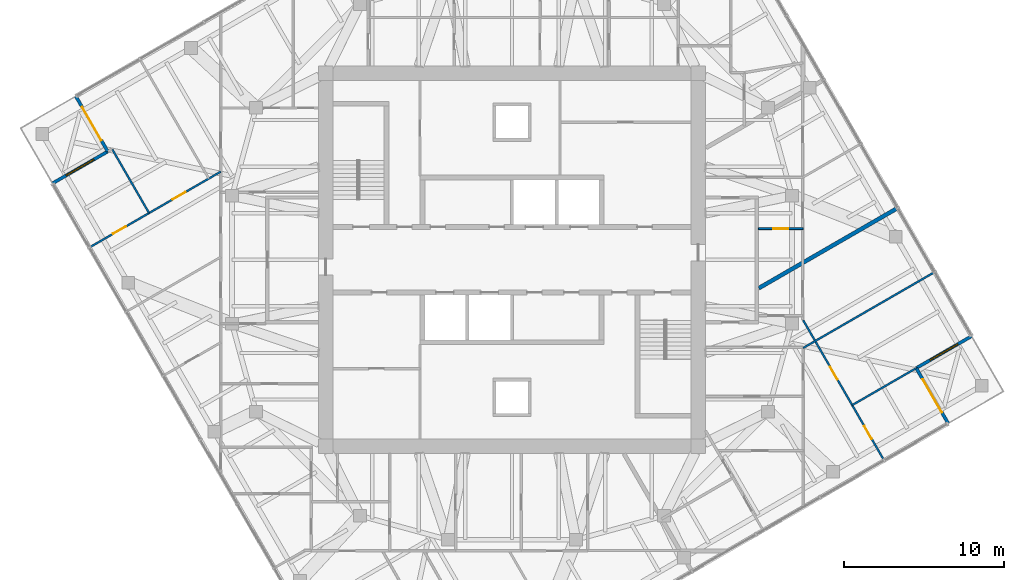
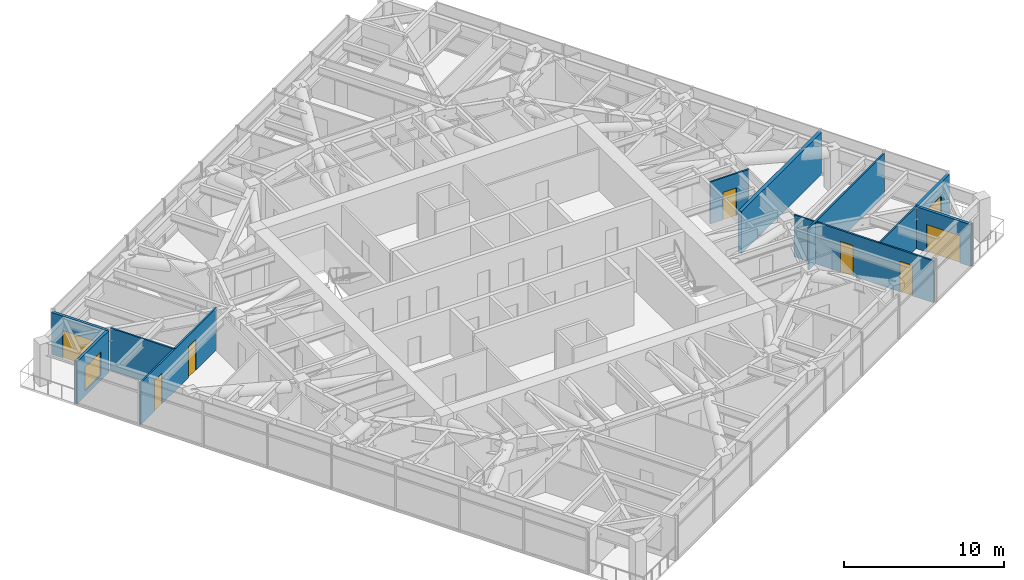
# One storey, part 12 of 16: 11 walls, 7 doors, 2 windows, 9 openings.
"""IFC4 building model written with IfcOpenShell, lengths in metres."""

from ifc_helpers import new_model, si_unit, direction, frame, frame_2d, origin, place, context, subcontext, project, spatial, rectangle, extrude, material, layer, layer_set, type_object, element, fill, save


model = new_model("IFC4")

# Units and contexts
model_context = context("Model", 3, precision=1e-05, world=origin(), true_north=direction((0.0, 1.0)))
body_context = subcontext(model_context, "Body", "Model", "MODEL_VIEW")
ifc_project = project(units=[si_unit("LENGTHUNIT", "METRE"), si_unit("AREAUNIT", "SQUARE_METRE"), si_unit("VOLUMEUNIT", "CUBIC_METRE"), si_unit("PLANEANGLEUNIT", "RADIAN"), si_unit("MASSUNIT", "GRAM", prefix="KILO")], contexts=[model_context])

# Site, building, storey
site_placement = place(None, origin())
site = spatial("IfcSite", under=ifc_project, at=site_placement, CompositionType="ELEMENT")
building_placement = place(site_placement, origin())
building = spatial("IfcBuilding", under=site, at=building_placement, Name="Torsade Residences", CompositionType="ELEMENT")
storey_placement = place(building_placement, frame((0.0, 0.0, 232.0)))
storey = spatial("IfcBuildingStorey", under=building, at=storey_placement, Name="L64", CompositionType="ELEMENT", Elevation=232.0)

# Wall, openings, doors
ifc_material_1 = material(Name="Plasterboard on steel stud", Category="steel")
ifc_layer_1 = layer(ifc_material_1, 0.1201171875)
ifc_layer_set_1 = layer_set([ifc_layer_1], Name="Plasterboard on steel stud")
wall_type_1 = type_object("IfcWallType", Name="PARTITION 120", PredefinedType="PARTITIONING", material=ifc_layer_set_1)
wall_1_placement = place(storey_placement, frame((58.200439453125, 26.22607421875, 0.0), z_axis=(0.0, 0.0, 1.0), x_axis=(0.499992604493, -0.86602967354, 0.0)))
wall_1 = element("IfcWall", 1, at=wall_1_placement, inside=storey, type_object=wall_type_1, Name="Partition L64", PredefinedType="PARTITIONING", context=body_context, shape_type="SweptSolid", body=[
    extrude(rectangle(XDim=10.091552734375, YDim=0.1201171875, at=frame_2d((5.0458984375, 0.0))), origin(), (0.0, 0.0, 1.0), 3.199951171875),
])
opening_1_placement = place(wall_1_placement, frame((3.35888671875, 0.0, 0.0)))
opening_1 = element("IfcOpeningElement", 2, at=opening_1_placement, cuts=wall_1, Name="Opening D02", PredefinedType="OPENING", context=body_context, shape_type="SweptSolid", body=[
    extrude(rectangle(XDim=0.919921875, YDim=2.340087890625, at=frame_2d((0.4599609375, 1.169921875))), frame((0.0, 0.070068359375, 0.0), z_axis=(0.0, -1.0, 0.0), x_axis=(1.0, 0.0, 0.0)), (0.0, 0.0, 1.0), 0.14013671875),
])
opening_2_placement = place(wall_1_placement, frame((7.646484375, 0.0, 0.0)))
opening_2 = element("IfcOpeningElement", 3, at=opening_2_placement, cuts=wall_1, Name="Opening D02", PredefinedType="OPENING", context=body_context, shape_type="SweptSolid", body=[
    extrude(rectangle(XDim=0.919921875, YDim=2.340087890625, at=frame_2d((0.4599609375, 1.169921875))), frame((0.0, 0.070068359375, 0.0), z_axis=(0.0, -1.0, 0.0), x_axis=(1.0, 0.0, 0.0)), (0.0, 0.0, 1.0), 0.14013671875),
])
ifc_material_2 = material(Name="Hollow-core timber door", Category="wood")
door_type_1 = type_object("IfcDoorType", Name="INTERNAL DOOR 920x2340", OperationType="NOTDEFINED", PredefinedType="DOOR", material=ifc_material_2)
door_1_placement = place(opening_1_placement, origin())
door_1 = element("IfcDoor", 4, at=door_1_placement, inside=storey, type_object=door_type_1, Name="Door Bedroom 2 to Living room", OperationType="SINGLE_SWING_LEFT", OverallHeight=2.340087890625, OverallWidth=0.919921875, PredefinedType="DOOR", context=body_context, shape_type="SweptSolid", body=[
    extrude(rectangle(XDim=0.919921875, YDim=2.340087890625, at=frame_2d((0.4599609375, 1.169921875))), frame((0.0, 0.02490234375, 0.0), z_axis=(0.0, -1.0, 0.0), x_axis=(1.0, 0.0, 0.0)), (0.0, 0.0, 1.0), 0.050048828125),
])
fill(opening_1, door_1)
door_2_placement = place(opening_2_placement, origin())
door_2 = element("IfcDoor", 5, at=door_2_placement, inside=storey, type_object=door_type_1, Name="Door Bedroom 2 to Bedroom 3", OperationType="SINGLE_SWING_LEFT", OverallHeight=2.340087890625, OverallWidth=0.919921875, PredefinedType="DOOR", context=body_context, shape_type="SweptSolid", body=[
    extrude(rectangle(XDim=0.919921875, YDim=2.340087890625, at=frame_2d((0.4599609375, 1.169921875))), frame((0.0, 0.02490234375, 0.0), z_axis=(0.0, -1.0, 0.0), x_axis=(1.0, 0.0, 0.0)), (0.0, 0.0, 1.0), 0.050048828125),
])
fill(opening_2, door_2)

# Walls
wall_2_placement = place(storey_placement, frame((66.388427734375, 29.2138671875, 0.0), z_axis=(0.0, 0.0, 1.0), x_axis=(-0.86602907136, -0.49999364752, 0.0)))
element("IfcWall", 6, at=wall_2_placement, inside=storey, type_object=wall_type_1, Name="Partition L64", PredefinedType="PARTITIONING", context=body_context, shape_type="SweptSolid", body=[
    extrude(rectangle(XDim=9.455078125, YDim=0.1201171875, at=frame_2d((4.7275390625, 0.0))), origin(), (0.0, 0.0, 1.0), 3.199951171875),
])
wall_3_placement = place(storey_placement, frame((65.23681640625, 23.20849609375, 0.0), z_axis=(0.0, 0.0, 1.0), x_axis=(-0.866025975094, -0.499999010461, 0.0)))
element("IfcWall", 7, at=wall_3_placement, inside=storey, type_object=wall_type_1, Name="Partition L64", PredefinedType="PARTITIONING", context=body_context, shape_type="SweptSolid", body=[
    extrude(rectangle(XDim=4.5849609375, YDim=0.1201171875, at=frame_2d((2.29248046875, 0.0))), origin(), (0.0, 0.0, 1.0), 3.199951171875),
])

# Wall, opening, door
wall_4_placement = place(storey_placement, frame((58.199951171875, 31.945068359375, 0.0), z_axis=(0.0, 0.0, 1.0), x_axis=(-1.0, 0.0, 0.0)))
wall_4 = element("IfcWall", 8, at=wall_4_placement, inside=storey, type_object=wall_type_1, Name="Partition L64", PredefinedType="PARTITIONING", context=body_context, shape_type="SweptSolid", body=[
    extrude(rectangle(XDim=2.800048828125, YDim=0.1201171875, at=frame_2d((1.39990234375, 0.0))), origin(), (0.0, 0.0, 1.0), 3.199951171875),
])
opening_3_placement = place(wall_4_placement, frame((0.919921875, 0.0, 0.0)))
opening_3 = element("IfcOpeningElement", 9, at=opening_3_placement, cuts=wall_4, Name="Opening D05", PredefinedType="OPENING", context=body_context, shape_type="SweptSolid", body=[
    extrude(rectangle(XDim=0.9599609375, YDim=2.10009765625, at=frame_2d((0.47998046875, 1.050048828125))), frame((0.0, 0.070068359375, 0.0), z_axis=(0.0, -1.0, 0.0), x_axis=(1.0, 0.0, 0.0)), (0.0, 0.0, 1.0), 0.14013671875),
])
ifc_material_3 = material(Name="Hollow-core timber door in a steel cavity frame", Category="steel")
door_type_2 = type_object("IfcDoorType", Name="BATHROOM CAVITY SLIDING DOOR 960", OperationType="SLIDING_TO_LEFT", PredefinedType="DOOR", material=ifc_material_3)
door_3_placement = place(opening_3_placement, origin())
door_3 = element("IfcDoor", 10, at=door_3_placement, inside=storey, type_object=door_type_2, Name="Door Kitchen and dining to Bathroom", OperationType="SLIDING_TO_LEFT", OverallHeight=2.10009765625, OverallWidth=0.9599609375, PredefinedType="DOOR", context=body_context, shape_type="SweptSolid", body=[
    extrude(rectangle(XDim=0.9599609375, YDim=2.10009765625, at=frame_2d((0.47998046875, 1.050048828125))), frame((0.0, 0.02490234375, 0.0), z_axis=(0.0, -1.0, 0.0), x_axis=(1.0, 0.0, 0.0)), (0.0, 0.0, 1.0), 0.050048828125),
])
fill(opening_3, door_3)

# Wall, openings, doors
wall_5_placement = place(storey_placement, frame((21.800048828125, 35.513671875, 0.0), z_axis=(0.0, 0.0, 1.0), x_axis=(-0.86602907136, -0.49999364752, 0.0)))
wall_5 = element("IfcWall", 11, at=wall_5_placement, inside=storey, type_object=wall_type_1, Name="Partition L64", PredefinedType="PARTITIONING", context=body_context, shape_type="SweptSolid", body=[
    extrude(rectangle(XDim=9.455078125, YDim=0.1201171875, at=frame_2d((4.7275390625, 0.0))), origin(), (0.0, 0.0, 1.0), 3.199951171875),
])
opening_4_placement = place(wall_5_placement, frame((6.853759765625, 0.0, 0.0)))
opening_4 = element("IfcOpeningElement", 12, at=opening_4_placement, cuts=wall_5, Name="Opening D02", PredefinedType="OPENING", context=body_context, shape_type="SweptSolid", body=[
    extrude(rectangle(XDim=0.919921875, YDim=2.340087890625, at=frame_2d((0.4599609375, 1.169921875))), frame((0.0, 0.070068359375, 0.0), z_axis=(0.0, -1.0, 0.0), x_axis=(1.0, 0.0, 0.0)), (0.0, 0.0, 1.0), 0.14013671875),
])
opening_5_placement = place(wall_5_placement, frame((2.56640625, 0.0, 0.0)))
opening_5 = element("IfcOpeningElement", 13, at=opening_5_placement, cuts=wall_5, Name="Opening D02", PredefinedType="OPENING", context=body_context, shape_type="SweptSolid", body=[
    extrude(rectangle(XDim=0.919921875, YDim=2.340087890625, at=frame_2d((0.4599609375, 1.169921875))), frame((0.0, 0.070068359375, 0.0), z_axis=(0.0, -1.0, 0.0), x_axis=(1.0, 0.0, 0.0)), (0.0, 0.0, 1.0), 0.14013671875),
])
door_4_placement = place(opening_4_placement, origin())
door_4 = element("IfcDoor", 14, at=door_4_placement, inside=storey, type_object=door_type_1, Name="Door Family room to Dining room 2", OperationType="SINGLE_SWING_RIGHT", OverallHeight=2.340087890625, OverallWidth=0.919921875, PredefinedType="DOOR", context=body_context, shape_type="SweptSolid", body=[
    extrude(rectangle(XDim=0.919921875, YDim=2.340087890625, at=frame_2d((0.4599609375, 1.169921875))), frame((0.0, 0.02490234375, 0.0), z_axis=(0.0, -1.0, 0.0), x_axis=(1.0, 0.0, 0.0)), (0.0, 0.0, 1.0), 0.050048828125),
])
fill(opening_4, door_4)
door_5_placement = place(opening_5_placement, origin())
door_5 = element("IfcDoor", 15, at=door_5_placement, inside=storey, type_object=door_type_1, Name="Door Family room to Bedroom 2", OperationType="SINGLE_SWING_LEFT", OverallHeight=2.340087890625, OverallWidth=0.919921875, PredefinedType="DOOR", context=body_context, shape_type="SweptSolid", body=[
    extrude(rectangle(XDim=0.919921875, YDim=2.340087890625, at=frame_2d((0.4599609375, 1.169921875))), frame((0.0, 0.02490234375, 0.0), z_axis=(0.0, -1.0, 0.0), x_axis=(1.0, 0.0, 0.0)), (0.0, 0.0, 1.0), 0.050048828125),
])
fill(opening_5, door_5)

# Walls
wall_6_placement = place(storey_placement, frame((17.311767578125, 32.922119140625, 0.0), z_axis=(0.0, 0.0, 1.0), x_axis=(-0.499984590049, 0.866034300541, 0.0)))
element("IfcWall", 16, at=wall_6_placement, inside=storey, type_object=wall_type_1, Name="Partition L64", PredefinedType="PARTITIONING", context=body_context, shape_type="SweptSolid", body=[
    extrude(rectangle(XDim=4.595458984375, YDim=0.1201171875, at=frame_2d((2.2978515625, 0.0))), origin(), (0.0, 0.0, 1.0), 3.199951171875),
])
ifc_material_4 = material(Name="Masonry-lined stud party wall", Category="masonry")
ifc_layer_2 = layer(ifc_material_4, 0.25)
ifc_layer_set_2 = layer_set([ifc_layer_2], Name="Masonry-lined stud party wall")
wall_type_2 = type_object("IfcWallType", Name="PARTY WALL 250", PredefinedType="PARTITIONING", material=ifc_layer_set_2)
wall_7_placement = place(storey_placement, frame((64.110595703125, 33.2392578125, 0.0), z_axis=(0.0, 0.0, 1.0), x_axis=(-0.866024190901, -0.50000210077, 0.0)))
element("IfcWall", 17, at=wall_7_placement, inside=storey, type_object=wall_type_2, Name="Party wall L64", PredefinedType="PARTITIONING", context=body_context, shape_type="SweptSolid", body=[
    extrude(rectangle(XDim=10.02587890625, YDim=0.25, at=frame_2d((5.012939453125, 0.0))), origin(), (0.0, 0.0, 1.0), 3.199951171875),
])

# Wall, opening, door
ifc_material_5 = material(Name="Stone-faced precast concrete 40 MPa panel", Category="masonry")
ifc_layer_3 = layer(ifc_material_5, 0.199951171875)
ifc_layer_set_3 = layer_set([ifc_layer_3], Name="Stone-faced precast concrete 40 MPa panel")
wall_type_3 = type_object("IfcWallType", Name="TERRACE WALL 200", PredefinedType="SOLIDWALL", material=ifc_layer_set_3)
wall_8_placement = place(storey_placement, frame((67.271484375, 19.764404296875, 0.0), z_axis=(0.0, 0.0, 1.0), x_axis=(-0.49999894854, 0.866026010844, 0.0)))
wall_8 = element("IfcWall", 18, at=wall_8_placement, inside=storey, type_object=wall_type_3, Name="Terrace wall L64 2", PredefinedType="SOLIDWALL", context=body_context, shape_type="SweptSolid", body=[
    extrude(rectangle(XDim=4.0, YDim=0.199951171875, at=frame_2d((2.0, 0.0))), origin(), (0.0, 0.0, 1.0), 3.199951171875),
])
opening_6_placement = place(wall_8_placement, frame((0.800048828125, 0.0, 0.0)))
opening_6 = element("IfcOpeningElement", 19, at=opening_6_placement, cuts=wall_8, Name="Opening D10A", PredefinedType="OPENING", context=body_context, shape_type="SweptSolid", body=[
    extrude(rectangle(XDim=2.39990234375, YDim=2.10009765625, at=frame_2d((1.199951171875, 1.050048828125))), frame((0.0, 0.10986328125, 0.0), z_axis=(0.0, -1.0, 0.0), x_axis=(1.0, 0.0, 0.0)), (0.0, 0.0, 1.0), 0.219970703125),
])
ifc_material_6 = material(Name="Aluminium-framed glass door", Category="aluminium")
door_type_3 = type_object("IfcDoorType", Name="TERRACE SLIDING DOOR 2400x2100", OperationType="SLIDING_TO_LEFT", PredefinedType="DOOR", material=ifc_material_6)
door_6_placement = place(opening_6_placement, origin())
door_6 = element("IfcDoor", 20, at=door_6_placement, inside=storey, type_object=door_type_3, Name="Terrace door L64 2", OperationType="SLIDING_TO_LEFT", OverallHeight=2.10009765625, OverallWidth=2.39990234375, PredefinedType="DOOR", context=body_context, shape_type="SweptSolid", body=[
    extrude(rectangle(XDim=2.39990234375, YDim=2.10009765625, at=frame_2d((1.199951171875, 1.050048828125))), frame((0.0, 0.02490234375, 0.0), z_axis=(0.0, -1.0, 0.0), x_axis=(1.0, 0.0, 0.0)), (0.0, 0.0, 1.0), 0.050048828125),
])
fill(opening_6, door_6)

# Wall, opening, window
wall_9_placement = place(storey_placement, frame((65.271484375, 23.228515625, 0.0), z_axis=(0.0, 0.0, 1.0), x_axis=(0.866026010844, 0.49999894854, 0.0)))
wall_9 = element("IfcWall", 21, at=wall_9_placement, inside=storey, type_object=wall_type_3, Name="Terrace wall L64 3", PredefinedType="SOLIDWALL", context=body_context, shape_type="SweptSolid", body=[
    extrude(rectangle(XDim=4.0, YDim=0.199951171875, at=frame_2d((2.0, 0.0))), origin(), (0.0, 0.0, 1.0), 3.199951171875),
])
opening_7_placement = place(wall_9_placement, frame((1.0, 0.0, 0.39990234375)))
opening_7 = element("IfcOpeningElement", 22, at=opening_7_placement, cuts=wall_9, Name="Opening W1B", PredefinedType="OPENING", context=body_context, shape_type="SweptSolid", body=[
    extrude(rectangle(XDim=2.0, YDim=1.800048828125, at=frame_2d((1.0, 0.89990234375))), frame((0.0, 0.10986328125, 0.0), z_axis=(0.0, -1.0, 0.0), x_axis=(1.0, 0.0, 0.0)), (0.0, 0.0, 1.0), 0.219970703125),
])
ifc_material_7 = material(Name="Aluminium-framed glass window", Category="aluminium")
window_type = type_object("IfcWindowType", Name="TERRACE WINDOW 2000x1800", PartitioningType="SINGLE_PANEL", PredefinedType="WINDOW", material=ifc_material_7)
window_1_placement = place(opening_7_placement, origin())
window_1 = element("IfcWindow", 23, at=window_1_placement, inside=storey, type_object=window_type, Name="Terrace window L64 3", OverallHeight=1.800048828125, OverallWidth=2.0, PartitioningType="SINGLE_PANEL", PredefinedType="WINDOW", context=body_context, shape_type="SweptSolid", body=[
    extrude(rectangle(XDim=2.0, YDim=1.800048828125, at=frame_2d((1.0, 0.89990234375))), frame((0.0, 0.030029296875, 0.0), z_axis=(0.0, -1.0, 0.0), x_axis=(1.0, 0.0, 0.0)), (0.0, 0.0, 1.0), 0.06005859375),
])
fill(opening_7, window_1)

# Wall, opening, door
wall_10_placement = place(storey_placement, frame((12.728515625, 40.235595703125, 0.0), z_axis=(0.0, 0.0, 1.0), x_axis=(0.49999894854, -0.866026010844, 0.0)))
wall_10 = element("IfcWall", 24, at=wall_10_placement, inside=storey, type_object=wall_type_3, Name="Terrace wall L64 8", PredefinedType="SOLIDWALL", context=body_context, shape_type="SweptSolid", body=[
    extrude(rectangle(XDim=4.0, YDim=0.199951171875, at=frame_2d((2.0, 0.0))), origin(), (0.0, 0.0, 1.0), 3.199951171875),
])
opening_8_placement = place(wall_10_placement, frame((0.800048828125, 0.0, 0.0)))
opening_8 = element("IfcOpeningElement", 25, at=opening_8_placement, cuts=wall_10, Name="Opening D10A", PredefinedType="OPENING", context=body_context, shape_type="SweptSolid", body=[
    extrude(rectangle(XDim=2.39990234375, YDim=2.10009765625, at=frame_2d((1.199951171875, 1.050048828125))), frame((0.0, 0.10986328125, 0.0), z_axis=(0.0, -1.0, 0.0), x_axis=(1.0, 0.0, 0.0)), (0.0, 0.0, 1.0), 0.219970703125),
])
door_7_placement = place(opening_8_placement, origin())
door_7 = element("IfcDoor", 26, at=door_7_placement, inside=storey, type_object=door_type_3, Name="Terrace door L64 8", OperationType="SLIDING_TO_LEFT", OverallHeight=2.10009765625, OverallWidth=2.39990234375, PredefinedType="DOOR", context=body_context, shape_type="SweptSolid", body=[
    extrude(rectangle(XDim=2.39990234375, YDim=2.10009765625, at=frame_2d((1.199951171875, 1.050048828125))), frame((0.0, 0.02490234375, 0.0), z_axis=(0.0, -1.0, 0.0), x_axis=(1.0, 0.0, 0.0)), (0.0, 0.0, 1.0), 0.050048828125),
])
fill(opening_8, door_7)

# Wall, opening, window
wall_11_placement = place(storey_placement, frame((14.728515625, 36.771484375, 0.0), z_axis=(0.0, 0.0, 1.0), x_axis=(-0.866026010844, -0.49999894854, 0.0)))
wall_11 = element("IfcWall", 27, at=wall_11_placement, inside=storey, type_object=wall_type_3, Name="Terrace wall L64 9", PredefinedType="SOLIDWALL", context=body_context, shape_type="SweptSolid", body=[
    extrude(rectangle(XDim=4.0, YDim=0.199951171875, at=frame_2d((2.0, 0.0))), origin(), (0.0, 0.0, 1.0), 3.199951171875),
])
opening_9_placement = place(wall_11_placement, frame((1.0, 0.0, 0.39990234375)))
opening_9 = element("IfcOpeningElement", 28, at=opening_9_placement, cuts=wall_11, Name="Opening W1B", PredefinedType="OPENING", context=body_context, shape_type="SweptSolid", body=[
    extrude(rectangle(XDim=2.0, YDim=1.800048828125, at=frame_2d((1.0, 0.89990234375))), frame((0.0, 0.10986328125, 0.0), z_axis=(0.0, -1.0, 0.0), x_axis=(1.0, 0.0, 0.0)), (0.0, 0.0, 1.0), 0.219970703125),
])
window_2_placement = place(opening_9_placement, origin())
window_2 = element("IfcWindow", 29, at=window_2_placement, inside=storey, type_object=window_type, Name="Terrace window L64 9", OverallHeight=1.800048828125, OverallWidth=2.0, PartitioningType="SINGLE_PANEL", PredefinedType="WINDOW", context=body_context, shape_type="SweptSolid", body=[
    extrude(rectangle(XDim=2.0, YDim=1.800048828125, at=frame_2d((1.0, 0.89990234375))), frame((0.0, 0.030029296875, 0.0), z_axis=(0.0, -1.0, 0.0), x_axis=(1.0, 0.0, 0.0)), (0.0, 0.0, 1.0), 0.06005859375),
])
fill(opening_9, window_2)

save(model, "model.ifc")
